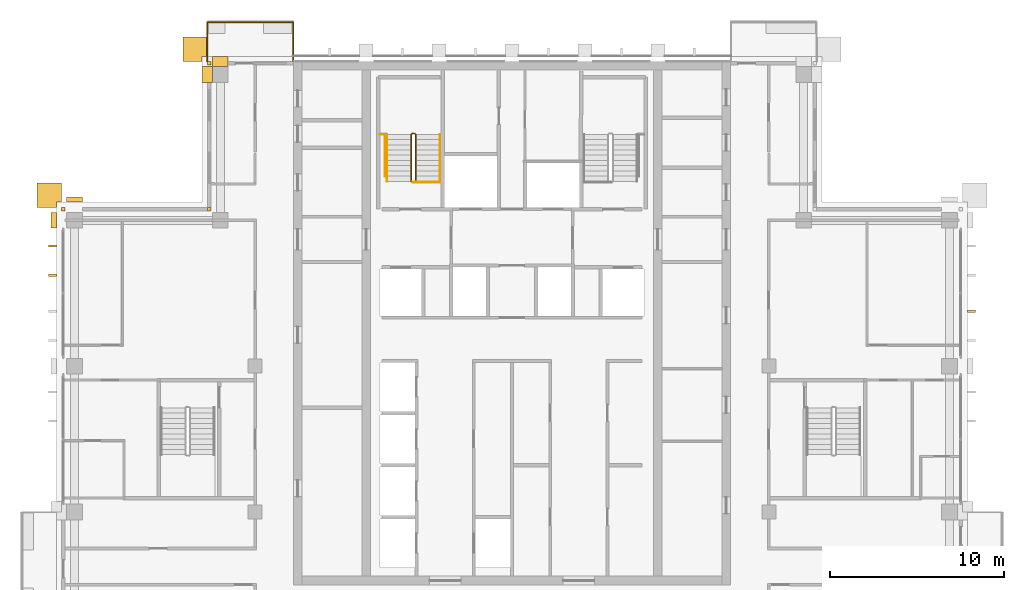
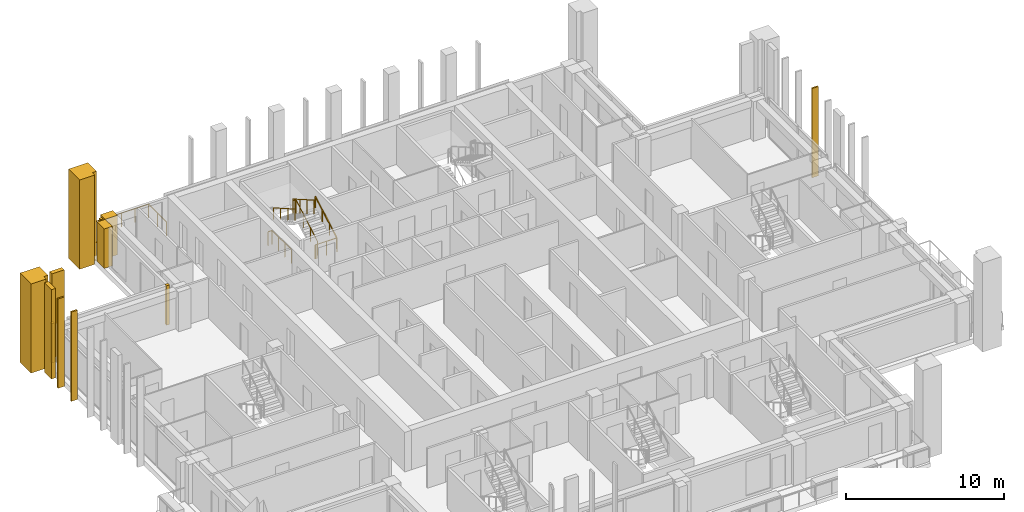
# One storey, part 17 of 18: 12 coverings, 6 railings.
"""IFC4 building model written with IfcOpenShell, lengths in metres."""

from ifc_helpers import new_model, si_unit, direction, frame, origin, origin_2d, place, context, subcontext, project, spatial, polyline, rectangle, outline, extrude, material, layer, layer_set, type_object, element, save


model = new_model("IFC4")

# Units and contexts
model_context = context("Model", 3, precision=1e-05, world=origin(), true_north=direction((0.0, 1.0)))
body_context = subcontext(model_context, "Body", "Model", "MODEL_VIEW")
ifc_project = project(units=[si_unit("LENGTHUNIT", "METRE"), si_unit("AREAUNIT", "SQUARE_METRE"), si_unit("VOLUMEUNIT", "CUBIC_METRE"), si_unit("PLANEANGLEUNIT", "RADIAN"), si_unit("MASSUNIT", "GRAM", prefix="KILO")], contexts=[model_context])

# Site, building, storey
site_placement = place(None, origin())
site = spatial("IfcSite", under=ifc_project, at=site_placement, CompositionType="ELEMENT")
building_placement = place(site_placement, origin())
building = spatial("IfcBuilding", under=site, at=building_placement, Name="Vermilion Ogive Tower", CompositionType="ELEMENT")
storey_placement = place(building_placement, frame((0.0, 0.0, 254.5)))
storey = spatial("IfcBuildingStorey", under=building, at=storey_placement, Name="L67", CompositionType="ELEMENT", Elevation=254.5)

# Railing
ifc_material_1 = material(Name="Stainless steel and glass", Category="steel")
railing_type_1 = type_object("IfcRailingType", Name="Balcony guard", PredefinedType="GUARDRAIL", material=ifc_material_1)
railing_1_placement = place(storey_placement, frame((-12.60009765625, 21.75, -0.0400390625)))
element("IfcRailing", 1, at=railing_1_placement, inside=storey, type_object=railing_type_1, Name="Guard N201", PredefinedType="GUARDRAIL", context=body_context, shape_type="SweptSolid", body=[
    extrude(rectangle(XDim=0.048095703125, YDim=0.048095703125, at=origin_2d()), frame((0.0, 0.0, 1.076171875), z_axis=(0.0, 1.0, 0.0), x_axis=(-1.0, 0.0, 0.0)), (0.0, 0.0, 1.0), 2.270751953125),
    extrude(rectangle(XDim=0.048095703125, YDim=0.048095703125, at=origin_2d()), frame((0.0, 2.270751953125, 1.076171875), z_axis=(-1.0, 0.0, 0.0), x_axis=(0.0, -1.0, 0.0)), (0.0, 0.0, 1.0), 4.949951171875),
    extrude(rectangle(XDim=0.048095703125, YDim=0.048095703125, at=origin_2d()), frame((-4.949951171875, 2.270751953125, 1.076171875), z_axis=(0.0, -1.0, 0.0), x_axis=(1.0, 0.0, 0.0)), (0.0, 0.0, 1.0), 2.270751953125),
    extrude(rectangle(XDim=0.0419921875, YDim=0.0419921875, at=origin_2d()), origin(), (0.0, 0.0, 1.0), 1.052001953125),
    extrude(rectangle(XDim=0.0419921875, YDim=0.0419921875, at=origin_2d()), frame((0.0, 1.13525390625, 0.0)), (0.0, 0.0, 1.0), 1.052001953125),
    extrude(rectangle(XDim=0.0419921875, YDim=0.0419921875, at=origin_2d()), frame((0.0, 2.270751953125, 0.0)), (0.0, 0.0, 1.0), 1.052001953125),
    extrude(rectangle(XDim=0.0419921875, YDim=0.0419921875, at=origin_2d()), frame((-0.989990234375, 2.270751953125, 0.0)), (0.0, 0.0, 1.0), 1.052001953125),
    extrude(rectangle(XDim=0.0419921875, YDim=0.0419921875, at=origin_2d()), frame((-1.97998046875, 2.270751953125, 0.0)), (0.0, 0.0, 1.0), 1.052001953125),
    extrude(rectangle(XDim=0.0419921875, YDim=0.0419921875, at=origin_2d()), frame((-2.969970703125, 2.270751953125, 0.0)), (0.0, 0.0, 1.0), 1.052001953125),
    extrude(rectangle(XDim=0.0419921875, YDim=0.0419921875, at=origin_2d()), frame((-3.9599609375, 2.270751953125, 0.0)), (0.0, 0.0, 1.0), 1.052001953125),
    extrude(rectangle(XDim=0.0419921875, YDim=0.0419921875, at=origin_2d()), frame((-4.949951171875, 2.270751953125, 0.0)), (0.0, 0.0, 1.0), 1.052001953125),
    extrude(rectangle(XDim=0.0419921875, YDim=0.0419921875, at=origin_2d()), frame((-4.949951171875, 1.13525390625, 0.0)), (0.0, 0.0, 1.0), 1.052001953125),
    extrude(rectangle(XDim=0.0419921875, YDim=0.0419921875, at=origin_2d()), frame((-4.949951171875, 0.0, 0.0)), (0.0, 0.0, 1.0), 1.052001953125),
])

# Coverings
ifc_material_2 = material(Name="Glazed ceramic screen")
ifc_layer = layer(ifc_material_2, 0.14990234375)
ifc_layer_set = layer_set([ifc_layer], Name="Ceramic solar screen fin")
covering_type_1 = type_object("IfcCoveringType", Name="Ceramic solar screen fin", PredefinedType="CLADDING", material=ifc_layer_set)
covering_1_placement = place(storey_placement, frame((0.0, 0.0, -0.39990234375)))
element("IfcCovering", 2, at=covering_1_placement, inside=storey, type_object=covering_type_1, Name="Solar screen blade E012", PredefinedType="CLADDING", context=body_context, shape_type="SweptSolid", body=[
    extrude(outline(polyline([(26.699951171875, 7.302490234375), (26.699951171875, 7.422607421875), (26.25, 7.422607421875), (26.25, 7.302490234375), (26.699951171875, 7.302490234375)])), origin(), (0.0, 0.0, 1.0), 6.89990234375),
])
covering_2_placement = place(storey_placement, frame((0.0, 0.0, -0.39990234375)))
element("IfcCovering", 3, at=covering_2_placement, inside=storey, type_object=covering_type_1, Name="Solar screen blade W021", PredefinedType="CLADDING", context=body_context, shape_type="SweptSolid", body=[
    extrude(outline(polyline([(-26.699951171875, 11.172607421875), (-26.699951171875, 11.052490234375), (-26.25, 11.052490234375), (-26.25, 11.172607421875), (-26.699951171875, 11.172607421875)])), origin(), (0.0, 0.0, 1.0), 6.89990234375),
])
covering_3_placement = place(storey_placement, frame((0.0, 0.0, -0.39990234375)))
element("IfcCovering", 4, at=covering_3_placement, inside=storey, type_object=covering_type_1, Name="Solar screen blade W022", PredefinedType="CLADDING", context=body_context, shape_type="SweptSolid", body=[
    extrude(outline(polyline([(-26.699951171875, 9.49755859375), (-26.699951171875, 9.37744140625), (-26.25, 9.37744140625), (-26.25, 9.49755859375), (-26.699951171875, 9.49755859375)])), origin(), (0.0, 0.0, 1.0), 6.89990234375),
])

# Railings
ifc_material_3 = material(Name="Steel S355 painted", Category="steel")
railing_type_2 = type_object("IfcRailingType", Name="Stair guard 1100", PredefinedType="GUARDRAIL", material=ifc_material_3)
railing_2_placement = place(storey_placement, frame((-5.75, 14.800048828125, 0.0)))
element("IfcRailing", 5, at=railing_2_placement, inside=storey, type_object=railing_type_2, Name="L67 ST1 stair guard 4", PredefinedType="GUARDRAIL", context=body_context, shape_type="SweptSolid", body=[
    extrude(rectangle(XDim=0.048095703125, YDim=0.048095703125, at=origin_2d()), frame((0.0, 0.0, 1.076171875), z_axis=(1.0, 0.0, 0.0), x_axis=(0.0, 1.0, 0.0)), (0.0, 0.0, 1.0), 0.14990234375),
    extrude(rectangle(XDim=0.048095703125, YDim=0.048095703125, at=origin_2d()), frame((0.14990234375, 0.0, 1.076171875), z_axis=(0.268277960024, 0.268277960024, 0.925231793839), x_axis=(-0.707106781187, 0.707106781187, 0.0)), (0.0, 0.0, 1.0), 0.1865234375),
    extrude(rectangle(XDim=0.048095703125, YDim=0.048095703125, at=origin_2d()), frame((0.199951171875, 0.050048828125, 1.24853515625), z_axis=(0.0, 0.866903762492, 0.498475542607), x_axis=(-1.0, 0.0, 0.0)), (0.0, 0.0, 1.0), 3.114501953125),
    extrude(rectangle(XDim=0.048095703125, YDim=0.048095703125, at=origin_2d()), frame((0.199951171875, 2.75, 2.80126953125), z_axis=(-0.707106781187, 0.707106781187, 0.0), x_axis=(-0.707106781187, -0.707106781187, 0.0)), (0.0, 0.0, 1.0), 0.07080078125),
    extrude(rectangle(XDim=0.048095703125, YDim=0.048095703125, at=origin_2d()), frame((0.14990234375, 2.800048828125, 2.80126953125), z_axis=(-1.0, 0.0, 0.0), x_axis=(0.0, -1.0, 0.0)), (0.0, 0.0, 1.0), 0.14990234375),
    extrude(rectangle(XDim=0.048095703125, YDim=0.048095703125, at=origin_2d()), frame((0.0, 2.800048828125, 2.80126953125), z_axis=(-0.268603158521, -0.268603158521, 0.925043072762), x_axis=(0.707106781187, -0.707106781187, 0.0)), (0.0, 0.0, 1.0), 0.186279296875),
    extrude(rectangle(XDim=0.048095703125, YDim=0.048095703125, at=origin_2d()), frame((-0.050048828125, 2.75, 2.9736328125), z_axis=(0.0, -0.866903762492, 0.498475542607), x_axis=(1.0, 0.0, 0.0)), (0.0, 0.0, 1.0), 3.114501953125),
    extrude(rectangle(XDim=0.0419921875, YDim=0.0419921875, at=origin_2d()), origin(), (0.0, 0.0, 1.0), 1.052001953125),
    extrude(rectangle(XDim=0.0419921875, YDim=0.0419921875, at=origin_2d()), frame((0.14990234375, 0.0, 0.0)), (0.0, 0.0, 1.0), 1.052001953125),
    extrude(rectangle(XDim=0.0419921875, YDim=0.0419921875, at=origin_2d()), frame((0.199951171875, 0.050048828125, 0.172607421875)), (0.0, 0.0, 1.0), 1.052001953125),
    extrude(rectangle(XDim=0.0419921875, YDim=0.0419921875, at=origin_2d()), frame((0.199951171875, 0.949951171875, 0.690185546875)), (0.0, 0.0, 1.0), 1.052001953125),
    extrude(rectangle(XDim=0.0419921875, YDim=0.0419921875, at=origin_2d()), frame((0.199951171875, 1.85009765625, 1.20751953125)), (0.0, 0.0, 1.0), 1.052001953125),
    extrude(rectangle(XDim=0.0419921875, YDim=0.0419921875, at=origin_2d()), frame((0.199951171875, 2.75, 1.72509765625)), (0.0, 0.0, 1.0), 1.052001953125),
    extrude(rectangle(XDim=0.0419921875, YDim=0.0419921875, at=origin_2d()), frame((0.14990234375, 2.800048828125, 1.72509765625)), (0.0, 0.0, 1.0), 1.052001953125),
    extrude(rectangle(XDim=0.0419921875, YDim=0.0419921875, at=origin_2d()), frame((0.0, 2.800048828125, 1.72509765625)), (0.0, 0.0, 1.0), 1.052001953125),
    extrude(rectangle(XDim=0.0419921875, YDim=0.0419921875, at=origin_2d()), frame((-0.050048828125, 2.75, 1.8974609375)), (0.0, 0.0, 1.0), 1.052001953125),
    extrude(rectangle(XDim=0.0419921875, YDim=0.0419921875, at=origin_2d()), frame((-0.050048828125, 1.85009765625, 2.4150390625)), (0.0, 0.0, 1.0), 1.052001953125),
    extrude(rectangle(XDim=0.0419921875, YDim=0.0419921875, at=origin_2d()), frame((-0.050048828125, 0.949951171875, 2.932373046875)), (0.0, 0.0, 1.0), 1.052001953125),
    extrude(rectangle(XDim=0.0419921875, YDim=0.0419921875, at=origin_2d()), frame((-0.050048828125, 0.050048828125, 3.449951171875)), (0.0, 0.0, 1.0), 1.052001953125),
])
railing_3_placement = place(storey_placement, frame((-4.159912109375, 14.7900390625, 0.0)))
element("IfcRailing", 6, at=railing_3_placement, inside=storey, type_object=railing_type_2, Name="L67 stair opening guard", PredefinedType="GUARDRAIL", context=body_context, shape_type="SweptSolid", body=[
    extrude(rectangle(XDim=0.048095703125, YDim=0.048095703125, at=origin_2d()), frame((0.0, 0.0, 1.076171875), z_axis=(-1.0, 0.0, 0.0), x_axis=(0.0, -1.0, 0.0)), (0.0, 0.0, 1.0), 1.5400390625),
    extrude(rectangle(XDim=0.0419921875, YDim=0.0419921875, at=origin_2d()), origin(), (0.0, 0.0, 1.0), 1.052001953125),
    extrude(rectangle(XDim=0.0419921875, YDim=0.0419921875, at=origin_2d()), frame((-0.77001953125, 0.0, 0.0)), (0.0, 0.0, 1.0), 1.052001953125),
    extrude(rectangle(XDim=0.0419921875, YDim=0.0419921875, at=origin_2d()), frame((-1.5400390625, 0.0, 0.0)), (0.0, 0.0, 1.0), 1.052001953125),
])
railing_4_placement = place(storey_placement, frame((-7.3095703125, 15.11865234375, 0.0)))
element("IfcRailing", 7, at=railing_4_placement, inside=storey, type_object=railing_type_2, Name="L67 stair opening guard", PredefinedType="GUARDRAIL", context=body_context, shape_type="SweptSolid", body=[
    extrude(rectangle(XDim=0.048095703125, YDim=0.048095703125, at=origin_2d()), frame((0.0, 0.0, 1.076171875), z_axis=(0.0, 1.0, 0.0), x_axis=(-1.0, 0.0, 0.0)), (0.0, 0.0, 1.0), 2.42431640625),
    extrude(rectangle(XDim=0.048095703125, YDim=0.048095703125, at=origin_2d()), frame((0.0, 2.42431640625, 1.076171875), z_axis=(-1.0, 0.0, 0.0), x_axis=(0.0, -1.0, 0.0)), (0.0, 0.0, 1.0), 0.2900390625),
    extrude(rectangle(XDim=0.0419921875, YDim=0.0419921875, at=origin_2d()), origin(), (0.0, 0.0, 1.0), 1.052001953125),
    extrude(rectangle(XDim=0.0419921875, YDim=0.0419921875, at=origin_2d()), frame((0.0, 0.80810546875, 0.0)), (0.0, 0.0, 1.0), 1.052001953125),
    extrude(rectangle(XDim=0.0419921875, YDim=0.0419921875, at=origin_2d()), frame((0.0, 1.6162109375, 0.0)), (0.0, 0.0, 1.0), 1.052001953125),
    extrude(rectangle(XDim=0.0419921875, YDim=0.0419921875, at=origin_2d()), frame((0.0, 2.42431640625, 0.0)), (0.0, 0.0, 1.0), 1.052001953125),
    extrude(rectangle(XDim=0.0419921875, YDim=0.0419921875, at=origin_2d()), frame((-0.2900390625, 2.42431640625, 0.0)), (0.0, 0.0, 1.0), 1.052001953125),
])
ifc_material_4 = material(Name="Stainless steel", Category="steel")
railing_type_3 = type_object("IfcRailingType", Name="Stair handrail 900", PredefinedType="HANDRAIL", material=ifc_material_4)
railing_5_placement = place(storey_placement, frame((-4.14990234375, 14.85009765625, 0.172607421875)))
element("IfcRailing", 8, at=railing_5_placement, inside=storey, type_object=railing_type_3, Name="L67 ST1 stair handrail 1", PredefinedType="HANDRAIL", context=body_context, shape_type="SweptSolid", body=[
    extrude(rectangle(XDim=0.048095703125, YDim=0.048095703125, at=origin_2d()), frame((0.0, 0.0, 0.8759765625), z_axis=(0.0, 0.866903762492, 0.498475542607), x_axis=(-1.0, 0.0, 0.0)), (0.0, 0.0, 1.0), 3.114501953125),
    extrude(rectangle(XDim=0.0419921875, YDim=0.0419921875, at=origin_2d()), origin(), (0.0, 0.0, 1.0), 0.851806640625),
    extrude(rectangle(XDim=0.0419921875, YDim=0.0419921875, at=origin_2d()), frame((0.0, 0.89990234375, 0.517578125)), (0.0, 0.0, 1.0), 0.851806640625),
    extrude(rectangle(XDim=0.0419921875, YDim=0.0419921875, at=origin_2d()), frame((0.0, 1.800048828125, 1.034912109375)), (0.0, 0.0, 1.0), 0.851806640625),
    extrude(rectangle(XDim=0.0419921875, YDim=0.0419921875, at=origin_2d()), frame((0.0, 2.699951171875, 1.552490234375)), (0.0, 0.0, 1.0), 0.851806640625),
])
railing_6_placement = place(storey_placement, frame((-7.199951171875, 17.550048828125, 1.8974609375)))
element("IfcRailing", 9, at=railing_6_placement, inside=storey, type_object=railing_type_3, Name="L67 ST1 stair handrail 2", PredefinedType="HANDRAIL", context=body_context, shape_type="SweptSolid", body=[
    extrude(rectangle(XDim=0.048095703125, YDim=0.048095703125, at=origin_2d()), frame((0.0, 0.0, 0.8759765625), z_axis=(0.0, -0.866903762492, 0.498475542607), x_axis=(1.0, 0.0, 0.0)), (0.0, 0.0, 1.0), 3.114501953125),
    extrude(rectangle(XDim=0.0419921875, YDim=0.0419921875, at=origin_2d()), origin(), (0.0, 0.0, 1.0), 0.851806640625),
    extrude(rectangle(XDim=0.0419921875, YDim=0.0419921875, at=origin_2d()), frame((0.0, -0.89990234375, 0.517578125)), (0.0, 0.0, 1.0), 0.851806640625),
    extrude(rectangle(XDim=0.0419921875, YDim=0.0419921875, at=origin_2d()), frame((0.0, -1.800048828125, 1.034912109375)), (0.0, 0.0, 1.0), 0.851806640625),
    extrude(rectangle(XDim=0.0419921875, YDim=0.0419921875, at=origin_2d()), frame((0.0, -2.699951171875, 1.552490234375)), (0.0, 0.0, 1.0), 0.851806640625),
])

# Coverings
ifc_material_5 = material(Name="Stone cladding", Category="masonry")
covering_type_2 = type_object("IfcCoveringType", Name="Stone corner buttress", PredefinedType="CLADDING", material=ifc_material_5)
covering_4_placement = place(storey_placement, frame((0.0, 0.0, -0.39990234375)))
element("IfcCovering", 10, at=covering_4_placement, inside=storey, type_object=covering_type_2, Name="Stone corner buttress X51", PredefinedType="CLADDING", context=body_context, shape_type="SweptSolid", body=[
    extrude(outline(polyline([(-17.550048828125, 23.14990234375), (-17.550048828125, 22.050048828125), (-17.85009765625, 22.050048828125), (-17.85009765625, 21.75), (-18.949951171875, 21.75), (-18.949951171875, 23.14990234375), (-17.550048828125, 23.14990234375)])), origin(), (0.0, 0.0, 1.0), 6.89990234375),
])
covering_5_placement = place(storey_placement, frame((0.0, 0.0, -0.39990234375)))
element("IfcCovering", 11, at=covering_5_placement, inside=storey, type_object=covering_type_2, Name="Stone corner buttress W1", PredefinedType="CLADDING", context=body_context, shape_type="SweptSolid", body=[
    extrude(outline(polyline([(-25.949951171875, 13.64990234375), (-26.25, 13.64990234375), (-26.25, 13.35009765625), (-27.35009765625, 13.35009765625), (-27.35009765625, 14.75), (-25.949951171875, 14.75), (-25.949951171875, 13.64990234375)])), origin(), (0.0, 0.0, 1.0), 6.89990234375),
])
ifc_material_6 = material(Name="Stone cladding", Category="masonry")
covering_type_3 = type_object("IfcCoveringType", Name="Stone pier", PredefinedType="CLADDING", material=ifc_material_6)
covering_6_placement = place(storey_placement, origin())
element("IfcCovering", 12, at=covering_6_placement, inside=storey, type_object=covering_type_3, Name="Stone corner pier N2E1", PredefinedType="CLADDING", context=body_context, shape_type="SweptSolid", body=[
    extrude(outline(polyline([(-17.35009765625, 21.550048828125), (-17.550048828125, 21.550048828125), (-17.550048828125, 21.75), (-17.35009765625, 21.75), (-17.35009765625, 21.550048828125)])), origin(), (0.0, 0.0, 1.0), 3.050048828125),
])
covering_7_placement = place(storey_placement, origin())
element("IfcCovering", 13, at=covering_7_placement, inside=storey, type_object=covering_type_3, Name="Stone corner pier X5E1", PredefinedType="CLADDING", context=body_context, shape_type="SweptSolid", body=[
    extrude(outline(polyline([(-17.35009765625, 13.14990234375), (-17.550048828125, 13.14990234375), (-17.550048828125, 13.35009765625), (-17.35009765625, 13.35009765625), (-17.35009765625, 13.14990234375)])), origin(), (0.0, 0.0, 1.0), 3.050048828125),
])
covering_8_placement = place(storey_placement, origin())
element("IfcCovering", 14, at=covering_8_placement, inside=storey, type_object=covering_type_3, Name="Stone corner pier X6E1", PredefinedType="CLADDING", context=body_context, shape_type="SweptSolid", body=[
    extrude(outline(polyline([(-25.75, 13.14990234375), (-25.949951171875, 13.14990234375), (-25.949951171875, 13.35009765625), (-25.75, 13.35009765625), (-25.75, 13.14990234375)])), origin(), (0.0, 0.0, 1.0), 3.050048828125),
])
covering_9_placement = place(storey_placement, frame((0.0, 0.0, -0.39990234375)))
element("IfcCovering", 15, at=covering_9_placement, inside=storey, type_object=covering_type_3, Name="Stone pier P-0252+126X6", PredefinedType="CLADDING", context=body_context, shape_type="SweptSolid", body=[
    extrude(outline(polyline([(-25.64990234375, 13.949951171875), (-24.75, 13.949951171875), (-24.75, 13.64990234375), (-25.64990234375, 13.64990234375), (-25.64990234375, 13.949951171875)])), origin(), (0.0, 0.0, 1.0), 6.89990234375),
])
covering_10_placement = place(storey_placement, frame((0.0, 0.0, -0.39990234375)))
element("IfcCovering", 16, at=covering_10_placement, inside=storey, type_object=covering_type_3, Name="Stone pier P-0252+126W", PredefinedType="CLADDING", context=body_context, shape_type="SweptSolid", body=[
    extrude(outline(polyline([(-26.550048828125, 13.050048828125), (-26.25, 13.050048828125), (-26.25, 12.14990234375), (-26.550048828125, 12.14990234375), (-26.550048828125, 13.050048828125)])), origin(), (0.0, 0.0, 1.0), 6.89990234375),
])
covering_11_placement = place(storey_placement, origin())
element("IfcCovering", 17, at=covering_11_placement, inside=storey, type_object=covering_type_3, Name="Stone pier P-0168+210N2", PredefinedType="CLADDING", context=body_context, shape_type="SweptSolid", body=[
    extrude(outline(polyline([(-17.25, 21.449951171875), (-17.25, 22.050048828125), (-16.35009765625, 22.050048828125), (-16.35009765625, 21.449951171875), (-17.25, 21.449951171875), (-17.25, 21.449951171875)])), origin(), (0.0, 0.0, 1.0), 3.050048828125),
])
covering_12_placement = place(storey_placement, origin())
element("IfcCovering", 18, at=covering_12_placement, inside=storey, type_object=covering_type_3, Name="Stone pier P-0168+210X5", PredefinedType="CLADDING", context=body_context, shape_type="SweptSolid", body=[
    extrude(outline(polyline([(-17.85009765625, 21.449951171875), (-17.25, 21.449951171875), (-17.25, 21.449951171875), (-17.25, 20.550048828125), (-17.85009765625, 20.550048828125), (-17.85009765625, 21.449951171875)])), origin(), (0.0, 0.0, 1.0), 3.050048828125),
])

save(model, "model.ifc")
